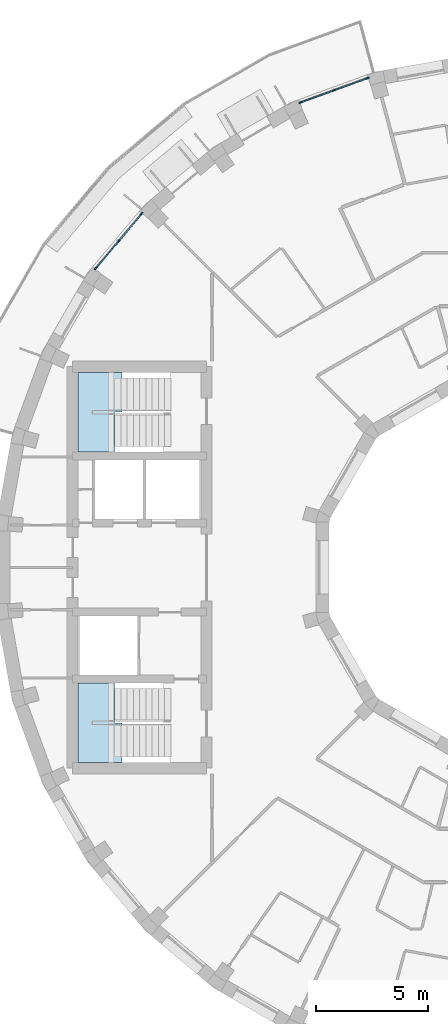
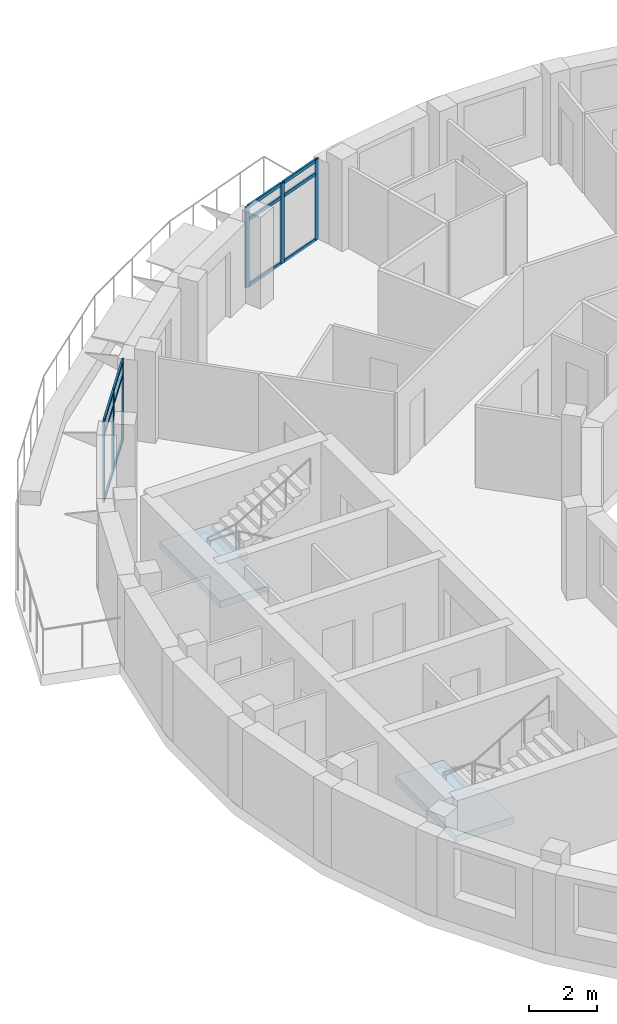
# One storey, part 2 of 12: 18 members, 2 slabs, 4 elements without a shape of their own.
"""IFC4 building model written with IfcOpenShell, lengths in metres."""

from ifc_helpers import new_model, si_unit, direction, frame, origin, origin_2d, place, context, subcontext, project, spatial, polyline, rectangle, outline, extrude, material, layer, layer_set, material_profile, profile_set, type_object, element, aggregate, save


model = new_model("IFC4")

# Units and contexts
model_context = context("Model", 3, precision=1e-05, world=origin(), true_north=direction((0.0, 1.0)))
body_context = subcontext(model_context, "Body", "Model", "MODEL_VIEW")
ifc_project = project(units=[si_unit("LENGTHUNIT", "METRE"), si_unit("AREAUNIT", "SQUARE_METRE"), si_unit("VOLUMEUNIT", "CUBIC_METRE"), si_unit("PLANEANGLEUNIT", "RADIAN"), si_unit("MASSUNIT", "GRAM", prefix="KILO")], contexts=[model_context])

# Site, building, storey
site_placement = place(None, origin())
site = spatial("IfcSite", under=ifc_project, at=site_placement, CompositionType="ELEMENT")
building_placement = place(site_placement, origin())
building = spatial("IfcBuilding", under=site, at=building_placement, Name="Saqina Gate Tower", CompositionType="ELEMENT")
storey_placement = place(building_placement, frame((0.0, 0.0, 229.699951171875)))
storey = spatial("IfcBuildingStorey", under=building, at=storey_placement, Name="L65", CompositionType="ELEMENT", Elevation=229.699951171875)

# Curtain wall, members
ifc_material_1 = material(Name="Aluminium glazing", Category="aluminium")
ifc_layer_1 = layer(ifc_material_1, 0.159912109375)
ifc_layer_set_1 = layer_set([ifc_layer_1], Name="CWT-4")
curtain_wall_type = type_object("IfcCurtainWallType", Name="CWT-4", PredefinedType="NOTDEFINED", material=ifc_layer_set_1)
curtain_wall_1_placement = place(storey_placement, origin())
curtain_wall_1 = element("IfcCurtainWall", 1, at=curtain_wall_1_placement, inside=storey, type_object=curtain_wall_type, Name="Terrace lounge glazing facet 11", PredefinedType="NOTDEFINED")
ifc_material_2 = material(Name="Aluminium", Category="aluminium")
ifc_material_profile_1 = material_profile(ifc_material_2, rectangle(XDim=0.06005859375, YDim=0.159912109375, at=origin_2d()), Name="Aluminium 60x160")
ifc_profile_set_1 = profile_set([ifc_material_profile_1], Name="Aluminium")
member_type_1 = type_object("IfcMemberType", Name="CWT-4M", PredefinedType="MULLION", material=ifc_profile_set_1)
member_1_placement = place(storey_placement, frame((-6.28564453125, 21.935546875, 0.0), z_axis=(0.0, 0.0, 1.0), x_axis=(0.342007258437, -0.939697310402, 0.0)))
member_1 = element("IfcMember", 2, at=member_1_placement, type_object=member_type_1, Name="CW4-11 mullion 1", PredefinedType="MULLION", context=body_context, shape_type="SweptSolid", body=[
    extrude(rectangle(XDim=0.06005859375, YDim=0.159912109375, at=origin_2d()), origin(), (0.0, 0.0, 1.0), 2.900146484375),
])
member_2_placement = place(storey_placement, frame((-7.78515625, 21.3896484375, 0.0), z_axis=(0.0, 0.0, 1.0), x_axis=(0.342007258437, -0.939697310402, 0.0)))
member_2 = element("IfcMember", 3, at=member_2_placement, type_object=member_type_1, Name="CW4-11 mullion 2", PredefinedType="MULLION", context=body_context, shape_type="SweptSolid", body=[
    extrude(rectangle(XDim=0.06005859375, YDim=0.159912109375, at=origin_2d()), origin(), (0.0, 0.0, 1.0), 2.900146484375),
])
member_3_placement = place(storey_placement, frame((-9.284912109375, 20.843994140625, 0.0), z_axis=(0.0, 0.0, 1.0), x_axis=(0.342007258437, -0.939697310402, 0.0)))
member_3 = element("IfcMember", 4, at=member_3_placement, type_object=member_type_1, Name="CW4-11 mullion 3", PredefinedType="MULLION", context=body_context, shape_type="SweptSolid", body=[
    extrude(rectangle(XDim=0.06005859375, YDim=0.159912109375, at=origin_2d()), origin(), (0.0, 0.0, 1.0), 2.900146484375),
])

curtain_wall_2_placement = place(storey_placement, origin())
curtain_wall_2 = element("IfcCurtainWall", 5, at=curtain_wall_2_placement, inside=storey, type_object=curtain_wall_type, Name="Terrace lounge glazing facet 14", PredefinedType="NOTDEFINED")
member_4_placement = place(storey_placement, frame((-16.411376953125, 15.85400390625, 0.0), z_axis=(0.0, 0.0, 1.0), x_axis=(0.766046452821, -0.642785214609, 0.0)))
member_4 = element("IfcMember", 6, at=member_4_placement, type_object=member_type_1, Name="CW4-14 mullion 1", PredefinedType="MULLION", context=body_context, shape_type="SweptSolid", body=[
    extrude(rectangle(XDim=0.06005859375, YDim=0.159912109375, at=origin_2d()), origin(), (0.0, 0.0, 1.0), 2.900146484375),
])
member_5_placement = place(storey_placement, frame((-17.43701171875, 14.63134765625, 0.0), z_axis=(0.0, 0.0, 1.0), x_axis=(0.766046452821, -0.642785214609, 0.0)))
member_5 = element("IfcMember", 7, at=member_5_placement, type_object=member_type_1, Name="CW4-14 mullion 2", PredefinedType="MULLION", context=body_context, shape_type="SweptSolid", body=[
    extrude(rectangle(XDim=0.06005859375, YDim=0.159912109375, at=origin_2d()), origin(), (0.0, 0.0, 1.0), 2.900146484375),
])
member_6_placement = place(storey_placement, frame((-18.462890625, 13.408935546875, 0.0), z_axis=(0.0, 0.0, 1.0), x_axis=(0.766046452821, -0.642785214609, 0.0)))
member_6 = element("IfcMember", 8, at=member_6_placement, type_object=member_type_1, Name="CW4-14 mullion 3", PredefinedType="MULLION", context=body_context, shape_type="SweptSolid", body=[
    extrude(rectangle(XDim=0.06005859375, YDim=0.159912109375, at=origin_2d()), origin(), (0.0, 0.0, 1.0), 2.900146484375),
])

# Member
ifc_material_3 = material(Name="Aluminium", Category="aluminium")
ifc_material_profile_2 = material_profile(ifc_material_3, rectangle(XDim=0.06005859375, YDim=0.1201171875, at=origin_2d()), Name="Aluminium 60x120")
ifc_profile_set_2 = profile_set([ifc_material_profile_2], Name="Aluminium")
member_type_2 = type_object("IfcMemberType", Name="CWT-4T", PredefinedType="USERDEFINED", material=ifc_profile_set_2)
member_7_placement = place(storey_placement, frame((-6.313720703125, 21.92529296875, 0.030029296875), z_axis=(-0.939681996159, -0.342049332837, 0.0), x_axis=(0.342049332837, -0.939681996159, 0.0)))
member_7 = element("IfcMember", 9, at=member_7_placement, type_object=member_type_2, Name="CW4-11 transom 1.1", ObjectType="TRANSOM", PredefinedType="USERDEFINED", context=body_context, shape_type="SweptSolid", body=[
    extrude(rectangle(XDim=0.06005859375, YDim=0.1201171875, at=origin_2d()), origin(), (0.0, 0.0, 1.0), 1.535888671875),
])

member_8_placement = place(storey_placement, frame((-6.313720703125, 21.92529296875, 2.400146484375), z_axis=(-0.939681996159, -0.342049332837, 0.0), x_axis=(0.342049332837, -0.939681996159, 0.0)))
member_8 = element("IfcMember", 10, at=member_8_placement, type_object=member_type_2, Name="CW4-11 transom 1.2", ObjectType="TRANSOM", PredefinedType="USERDEFINED", context=body_context, shape_type="SweptSolid", body=[
    extrude(rectangle(XDim=0.06005859375, YDim=0.1201171875, at=origin_2d()), origin(), (0.0, 0.0, 1.0), 1.535888671875),
])

member_9_placement = place(storey_placement, frame((-6.313720703125, 21.92529296875, 2.8701171875), z_axis=(-0.939681996159, -0.342049332837, 0.0), x_axis=(0.342049332837, -0.939681996159, 0.0)))
member_9 = element("IfcMember", 11, at=member_9_placement, type_object=member_type_2, Name="CW4-11 transom 1.3", ObjectType="TRANSOM", PredefinedType="USERDEFINED", context=body_context, shape_type="SweptSolid", body=[
    extrude(rectangle(XDim=0.06005859375, YDim=0.1201171875, at=origin_2d()), origin(), (0.0, 0.0, 1.0), 1.535888671875),
])

member_10_placement = place(storey_placement, frame((-7.8134765625, 21.37939453125, 0.030029296875), z_axis=(-0.939714490023, -0.341960052113, 0.0), x_axis=(0.341960052113, -0.939714490023, 0.0)))
member_10 = element("IfcMember", 12, at=member_10_placement, type_object=member_type_2, Name="CW4-11 transom 2.1", ObjectType="TRANSOM", PredefinedType="USERDEFINED", context=body_context, shape_type="SweptSolid", body=[
    extrude(rectangle(XDim=0.06005859375, YDim=0.1201171875, at=origin_2d()), origin(), (0.0, 0.0, 1.0), 1.53564453125),
])

member_11_placement = place(storey_placement, frame((-7.8134765625, 21.37939453125, 2.400146484375), z_axis=(-0.939714490023, -0.341960052113, 0.0), x_axis=(0.341960052113, -0.939714490023, 0.0)))
member_11 = element("IfcMember", 13, at=member_11_placement, type_object=member_type_2, Name="CW4-11 transom 2.2", ObjectType="TRANSOM", PredefinedType="USERDEFINED", context=body_context, shape_type="SweptSolid", body=[
    extrude(rectangle(XDim=0.06005859375, YDim=0.1201171875, at=origin_2d()), origin(), (0.0, 0.0, 1.0), 1.53564453125),
])

member_12_placement = place(storey_placement, frame((-7.8134765625, 21.37939453125, 2.8701171875), z_axis=(-0.939714490023, -0.341960052113, 0.0), x_axis=(0.341960052113, -0.939714490023, 0.0)))
member_12 = element("IfcMember", 14, at=member_12_placement, type_object=member_type_2, Name="CW4-11 transom 2.3", ObjectType="TRANSOM", PredefinedType="USERDEFINED", context=body_context, shape_type="SweptSolid", body=[
    extrude(rectangle(XDim=0.06005859375, YDim=0.1201171875, at=origin_2d()), origin(), (0.0, 0.0, 1.0), 1.53564453125),
])

aggregate(curtain_wall_1, [member_1, member_2, member_3, member_7, member_8, member_9, member_10, member_11, member_12])

member_13_placement = place(storey_placement, frame((-16.4306640625, 15.8310546875, 0.030029296875), z_axis=(-0.642729663657, -0.766093061876, 0.0), x_axis=(0.766093061876, -0.642729663657, 0.0)))
member_13 = element("IfcMember", 15, at=member_13_placement, type_object=member_type_2, Name="CW4-14 transom 1.1", ObjectType="TRANSOM", PredefinedType="USERDEFINED", context=body_context, shape_type="SweptSolid", body=[
    extrude(rectangle(XDim=0.06005859375, YDim=0.1201171875, at=origin_2d()), origin(), (0.0, 0.0, 1.0), 1.53564453125),
])

member_14_placement = place(storey_placement, frame((-16.4306640625, 15.8310546875, 2.400146484375), z_axis=(-0.642729663657, -0.766093061876, 0.0), x_axis=(0.766093061876, -0.642729663657, 0.0)))
member_14 = element("IfcMember", 16, at=member_14_placement, type_object=member_type_2, Name="CW4-14 transom 1.2", ObjectType="TRANSOM", PredefinedType="USERDEFINED", context=body_context, shape_type="SweptSolid", body=[
    extrude(rectangle(XDim=0.06005859375, YDim=0.1201171875, at=origin_2d()), origin(), (0.0, 0.0, 1.0), 1.53564453125),
])

member_15_placement = place(storey_placement, frame((-16.4306640625, 15.8310546875, 2.8701171875), z_axis=(-0.642729663657, -0.766093061876, 0.0), x_axis=(0.766093061876, -0.642729663657, 0.0)))
member_15 = element("IfcMember", 17, at=member_15_placement, type_object=member_type_2, Name="CW4-14 transom 1.3", ObjectType="TRANSOM", PredefinedType="USERDEFINED", context=body_context, shape_type="SweptSolid", body=[
    extrude(rectangle(XDim=0.06005859375, YDim=0.1201171875, at=origin_2d()), origin(), (0.0, 0.0, 1.0), 1.53564453125),
])

member_16_placement = place(storey_placement, frame((-17.456298828125, 14.6083984375, 0.030029296875), z_axis=(-0.642822950652, -0.766014787139, 0.0), x_axis=(0.766014787139, -0.642822950652, 0.0)))
member_16 = element("IfcMember", 18, at=member_16_placement, type_object=member_type_2, Name="CW4-14 transom 2.1", ObjectType="TRANSOM", PredefinedType="USERDEFINED", context=body_context, shape_type="SweptSolid", body=[
    extrude(rectangle(XDim=0.06005859375, YDim=0.1201171875, at=origin_2d()), origin(), (0.0, 0.0, 1.0), 1.535888671875),
])

member_17_placement = place(storey_placement, frame((-17.456298828125, 14.6083984375, 2.400146484375), z_axis=(-0.642822950652, -0.766014787139, 0.0), x_axis=(0.766014787139, -0.642822950652, 0.0)))
member_17 = element("IfcMember", 19, at=member_17_placement, type_object=member_type_2, Name="CW4-14 transom 2.2", ObjectType="TRANSOM", PredefinedType="USERDEFINED", context=body_context, shape_type="SweptSolid", body=[
    extrude(rectangle(XDim=0.06005859375, YDim=0.1201171875, at=origin_2d()), origin(), (0.0, 0.0, 1.0), 1.535888671875),
])

member_18_placement = place(storey_placement, frame((-17.456298828125, 14.6083984375, 2.8701171875), z_axis=(-0.642822950652, -0.766014787139, 0.0), x_axis=(0.766014787139, -0.642822950652, 0.0)))
member_18 = element("IfcMember", 20, at=member_18_placement, type_object=member_type_2, Name="CW4-14 transom 2.3", ObjectType="TRANSOM", PredefinedType="USERDEFINED", context=body_context, shape_type="SweptSolid", body=[
    extrude(rectangle(XDim=0.06005859375, YDim=0.1201171875, at=origin_2d()), origin(), (0.0, 0.0, 1.0), 1.535888671875),
])

aggregate(curtain_wall_2, [member_4, member_5, member_6, member_13, member_14, member_15, member_16, member_17, member_18])

# Stair, slab
ifc_material_4 = material(Name="Concrete C40/50", Category="concrete")
stair_type = type_object("IfcStairType", Name="EXIT STAIR", PredefinedType="HALF_TURN_STAIR", material=ifc_material_4)
stair_1_placement = place(storey_placement, origin())
stair_1 = element("IfcStair", 21, at=stair_1_placement, inside=storey, type_object=stair_type, Name="EXIT STAIR 3", PredefinedType="HALF_TURN_STAIR")
ifc_material_5 = material(Name="Concrete C40/50", Category="concrete")
ifc_layer_2 = layer(ifc_material_5, 0.25)
ifc_layer_set_2 = layer_set([ifc_layer_2], Name="Concrete C40/50")
slab_type = type_object("IfcSlabType", Name="EXIT STAIR LANDING", PredefinedType="LANDING", material=ifc_layer_set_2)
slab_1_placement = place(storey_placement, frame((0.0, 0.0, 1.400146484375)))
slab_1 = element("IfcSlab", 22, at=slab_1_placement, type_object=slab_type, Name="EXIT STAIR 3 LANDING 1", PredefinedType="LANDING", context=body_context, shape_type="SweptSolid", body=[
    extrude(outline(polyline([(-17.614990234375, 5.175048828125), (-19.25, 5.175048828125), (-19.25, 8.75), (-17.6201171875, 8.75), (-17.614990234375, 8.75), (-17.284423828125, 8.75), (-17.284423828125, 6.96240234375), (-17.614990234375, 6.96240234375), (-17.614990234375, 5.175048828125)])), origin(), (0.0, 0.0, 1.0), 0.25),
])
aggregate(stair_1, [slab_1])

stair_2_placement = place(storey_placement, origin())
stair_2 = element("IfcStair", 23, at=stair_2_placement, inside=storey, type_object=stair_type, Name="EXIT STAIR 4", PredefinedType="HALF_TURN_STAIR")
slab_2_placement = place(storey_placement, frame((0.0, 0.0, 1.400146484375)))
slab_2 = element("IfcSlab", 24, at=slab_2_placement, type_object=slab_type, Name="EXIT STAIR 4 LANDING 1", PredefinedType="LANDING", context=body_context, shape_type="SweptSolid", body=[
    extrude(outline(polyline([(-17.284423828125, -6.96240234375), (-17.284423828125, -8.75), (-17.614990234375, -8.75), (-17.6201171875, -8.75), (-19.25, -8.75), (-19.25, -5.175048828125), (-17.614990234375, -5.175048828125), (-17.614990234375, -6.96240234375), (-17.284423828125, -6.96240234375)])), origin(), (0.0, 0.0, 1.0), 0.25),
])
aggregate(stair_2, [slab_2])

save(model, "model.ifc")
